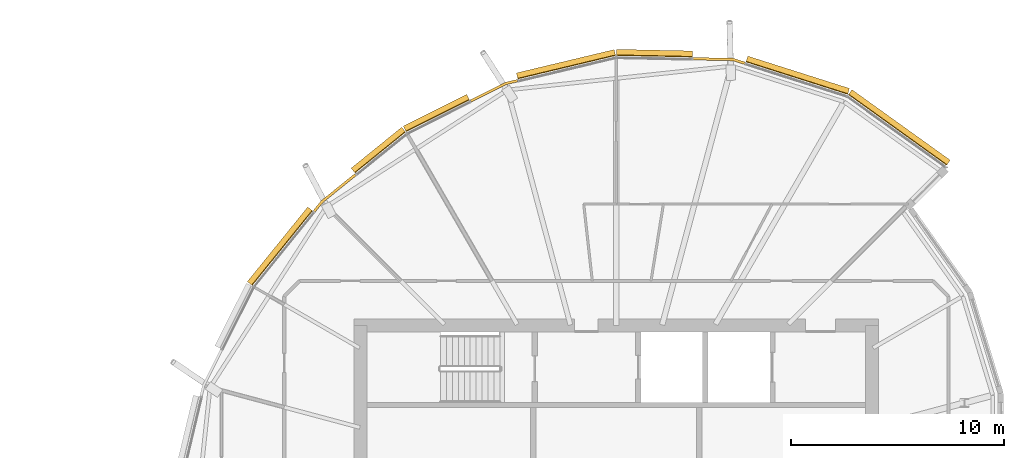
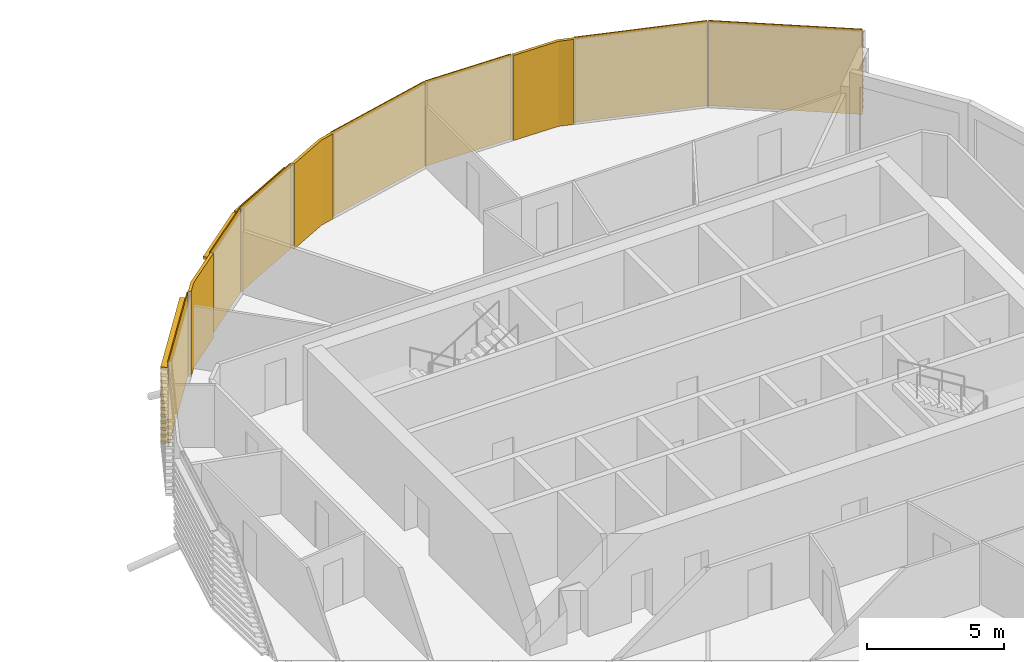
# One storey, part 38 of 38: 10 coverings.
"""IFC4 building model written with IfcOpenShell, lengths in metres."""

from ifc_helpers import new_model, si_unit, direction, frame, origin, place, context, subcontext, project, spatial, polyline, outline, extrude, material, layer, layer_set, material_profile, profile_set, type_object, element, save


model = new_model("IFC4")

# Units and contexts
model_context = context("Model", 3, precision=1e-05, world=origin(), true_north=direction((0.0, 1.0)))
body_context = subcontext(model_context, "Body", "Model", "MODEL_VIEW")
ifc_project = project(units=[si_unit("LENGTHUNIT", "METRE"), si_unit("AREAUNIT", "SQUARE_METRE"), si_unit("VOLUMEUNIT", "CUBIC_METRE"), si_unit("PLANEANGLEUNIT", "RADIAN"), si_unit("MASSUNIT", "GRAM", prefix="KILO")], contexts=[model_context])

# Site, building, storey
site_placement = place(None, origin())
site = spatial("IfcSite", under=ifc_project, at=site_placement, CompositionType="ELEMENT")
building_placement = place(site_placement, origin())
building = spatial("IfcBuilding", under=site, at=building_placement, Name="Rimbun Link Towers", CompositionType="ELEMENT")
storey_placement = place(building_placement, frame((0.0, 0.0, 185.5)))
storey = spatial("IfcBuildingStorey", under=building, at=storey_placement, Name="L45", CompositionType="ELEMENT", Elevation=185.5)

# Coverings
ifc_material_1 = material(Name="Terracotta", Category="masonry")
ifc_layer = layer(ifc_material_1, 0.1201171875)
ifc_layer_set = layer_set([ifc_layer], Name="LINK PIER terracotta cladding 120")
covering_type_1 = type_object("IfcCoveringType", Name="LINK PIER terracotta cladding 120", PredefinedType="CLADDING", material=ifc_layer_set)
covering_1_placement = place(storey_placement, origin())
element("IfcCovering", 1, at=covering_1_placement, inside=storey, type_object=covering_type_1, Name="LINK PIER cladding", PredefinedType="CLADDING", context=body_context, shape_type="SweptSolid", body=[
    extrude(outline(polyline([(35.3515625, 20.458251953125), (37.22119140625, 20.418701171875), (37.764404296875, 20.24609375), (37.80078125, 20.3603515625), (37.240966796875, 20.538330078125), (35.354248046875, 20.578125), (35.3515625, 20.458251953125)])), origin(), (0.0, 0.0, 1.0), 3.800048828125),
])
covering_2_placement = place(storey_placement, origin())
element("IfcCovering", 2, at=covering_2_placement, inside=storey, type_object=covering_type_1, Name="LINK PIER cladding", PredefinedType="CLADDING", context=body_context, shape_type="SweptSolid", body=[
    extrude(outline(polyline([(24.952880859375, 18.480712890625), (26.579345703125, 19.297607421875), (27.133544921875, 19.43017578125), (27.105712890625, 19.546875), (26.537841796875, 19.410888671875), (24.89892578125, 18.587890625), (24.952880859375, 18.480712890625)])), origin(), (0.0, 0.0, 1.0), 3.800048828125),
])
covering_3_placement = place(storey_placement, origin())
element("IfcCovering", 3, at=covering_3_placement, inside=storey, type_object=covering_type_1, Name="LINK PIER cladding", PredefinedType="CLADDING", context=body_context, shape_type="SweptSolid", body=[
    extrude(outline(polyline([(17.62744140625, 13.321044921875), (17.986083984375, 13.763916015625), (19.55615234375, 15.034912109375), (19.480712890625, 15.128173828125), (17.900634765625, 13.849365234375), (17.5341796875, 13.396484375), (17.62744140625, 13.321044921875)])), origin(), (0.0, 0.0, 1.0), 3.800048828125),
])
ifc_material_2 = material(Name="Terracotta", Category="masonry")
ifc_material_profile = material_profile(ifc_material_2, outline(polyline([(0.123046875, 0.0), (0.1630859375, 0.0), (0.1630859375, 0.10009765625), (0.423095703125, 0.10009765625), (0.423095703125, 0.219970703125), (0.1630859375, 0.219970703125), (0.1630859375, 0.39990234375), (0.423095703125, 0.39990234375), (0.423095703125, 0.52001953125), (0.1630859375, 0.52001953125), (0.1630859375, 0.699951171875), (0.423095703125, 0.699951171875), (0.423095703125, 0.820068359375), (0.1630859375, 0.820068359375), (0.1630859375, 1.0), (0.423095703125, 1.0), (0.423095703125, 1.1201171875), (0.1630859375, 1.1201171875), (0.1630859375, 1.300048828125), (0.423095703125, 1.300048828125), (0.423095703125, 1.419921875), (0.1630859375, 1.419921875), (0.1630859375, 1.60009765625), (0.423095703125, 1.60009765625), (0.423095703125, 1.719970703125), (0.1630859375, 1.719970703125), (0.1630859375, 1.89990234375), (0.423095703125, 1.89990234375), (0.423095703125, 2.02001953125), (0.1630859375, 2.02001953125), (0.1630859375, 2.199951171875), (0.423095703125, 2.199951171875), (0.423095703125, 2.320068359375), (0.1630859375, 2.320068359375), (0.1630859375, 2.5), (0.423095703125, 2.5), (0.423095703125, 2.6201171875), (0.1630859375, 2.6201171875), (0.1630859375, 2.800048828125), (0.423095703125, 2.800048828125), (0.423095703125, 2.919921875), (0.1630859375, 2.919921875), (0.1630859375, 3.10009765625), (0.423095703125, 3.10009765625), (0.423095703125, 3.219970703125), (0.1630859375, 3.219970703125), (0.1630859375, 3.39990234375), (0.423095703125, 3.39990234375), (0.423095703125, 3.52001953125), (0.1630859375, 3.52001953125), (0.1630859375, 3.800048828125), (0.123046875, 3.800048828125), (0.123046875, 0.0)])), Name="BAGUETTE 120X300")
ifc_profile_set = profile_set([ifc_material_profile], Name="Terracotta")
covering_type_2 = type_object("IfcCoveringType", Name="TERRACOTTA BAGUETTE 120X300 H3800", PredefinedType="CLADDING", material=ifc_profile_set)
covering_4_placement = place(storey_placement, frame((42.558837890625, 18.721435546875, 0.0), z_axis=(0.812445583502, -0.583037026138, 0.0), x_axis=(0.583037026138, 0.812445583502, 0.0)))
element("IfcCovering", 4, at=covering_4_placement, inside=storey, type_object=covering_type_2, Name="TERRACOTTA BAGUETTE", PredefinedType="CLADDING", context=body_context, shape_type="SweptSolid", body=[
    extrude(outline(polyline([(0.123046875, 0.0), (0.1630859375, 0.0), (0.1630859375, 0.10009765625), (0.423095703125, 0.10009765625), (0.423095703125, 0.219970703125), (0.1630859375, 0.219970703125), (0.1630859375, 0.39990234375), (0.423095703125, 0.39990234375), (0.423095703125, 0.52001953125), (0.1630859375, 0.52001953125), (0.1630859375, 0.699951171875), (0.423095703125, 0.699951171875), (0.423095703125, 0.820068359375), (0.1630859375, 0.820068359375), (0.1630859375, 1.0), (0.423095703125, 1.0), (0.423095703125, 1.1201171875), (0.1630859375, 1.1201171875), (0.1630859375, 1.300048828125), (0.423095703125, 1.300048828125), (0.423095703125, 1.419921875), (0.1630859375, 1.419921875), (0.1630859375, 1.60009765625), (0.423095703125, 1.60009765625), (0.423095703125, 1.719970703125), (0.1630859375, 1.719970703125), (0.1630859375, 1.89990234375), (0.423095703125, 1.89990234375), (0.423095703125, 2.02001953125), (0.1630859375, 2.02001953125), (0.1630859375, 2.199951171875), (0.423095703125, 2.199951171875), (0.423095703125, 2.320068359375), (0.1630859375, 2.320068359375), (0.1630859375, 2.5), (0.423095703125, 2.5), (0.423095703125, 2.6201171875), (0.1630859375, 2.6201171875), (0.1630859375, 2.800048828125), (0.423095703125, 2.800048828125), (0.423095703125, 2.919921875), (0.1630859375, 2.919921875), (0.1630859375, 3.10009765625), (0.423095703125, 3.10009765625), (0.423095703125, 3.219970703125), (0.1630859375, 3.219970703125), (0.1630859375, 3.39990234375), (0.423095703125, 3.39990234375), (0.423095703125, 3.52001953125), (0.1630859375, 3.52001953125), (0.1630859375, 3.800048828125), (0.123046875, 3.800048828125), (0.123046875, 0.0)])), origin(), (0.0, 0.0, 1.0), 5.670166015625),
])
covering_5_placement = place(storey_placement, frame((37.79296875, 20.237060546875, 0.0), z_axis=(0.952971289765, -0.303060589461, 0.0), x_axis=(0.303060589461, 0.952971289765, 0.0)))
element("IfcCovering", 5, at=covering_5_placement, inside=storey, type_object=covering_type_2, Name="TERRACOTTA BAGUETTE", PredefinedType="CLADDING", context=body_context, shape_type="SweptSolid", body=[
    extrude(outline(polyline([(0.123046875, 0.0), (0.1630859375, 0.0), (0.1630859375, 0.10009765625), (0.423095703125, 0.10009765625), (0.423095703125, 0.219970703125), (0.1630859375, 0.219970703125), (0.1630859375, 0.39990234375), (0.423095703125, 0.39990234375), (0.423095703125, 0.52001953125), (0.1630859375, 0.52001953125), (0.1630859375, 0.699951171875), (0.423095703125, 0.699951171875), (0.423095703125, 0.820068359375), (0.1630859375, 0.820068359375), (0.1630859375, 1.0), (0.423095703125, 1.0), (0.423095703125, 1.1201171875), (0.1630859375, 1.1201171875), (0.1630859375, 1.300048828125), (0.423095703125, 1.300048828125), (0.423095703125, 1.419921875), (0.1630859375, 1.419921875), (0.1630859375, 1.60009765625), (0.423095703125, 1.60009765625), (0.423095703125, 1.719970703125), (0.1630859375, 1.719970703125), (0.1630859375, 1.89990234375), (0.423095703125, 1.89990234375), (0.423095703125, 2.02001953125), (0.1630859375, 2.02001953125), (0.1630859375, 2.199951171875), (0.423095703125, 2.199951171875), (0.423095703125, 2.320068359375), (0.1630859375, 2.320068359375), (0.1630859375, 2.5), (0.423095703125, 2.5), (0.423095703125, 2.6201171875), (0.1630859375, 2.6201171875), (0.1630859375, 2.800048828125), (0.423095703125, 2.800048828125), (0.423095703125, 2.919921875), (0.1630859375, 2.919921875), (0.1630859375, 3.10009765625), (0.423095703125, 3.10009765625), (0.423095703125, 3.219970703125), (0.1630859375, 3.219970703125), (0.1630859375, 3.39990234375), (0.423095703125, 3.39990234375), (0.423095703125, 3.52001953125), (0.1630859375, 3.52001953125), (0.1630859375, 3.800048828125), (0.123046875, 3.800048828125), (0.123046875, 0.0)])), origin(), (0.0, 0.0, 1.0), 5.0009765625),
])
covering_6_placement = place(storey_placement, frame((31.75, 20.5341796875, 0.0), z_axis=(0.999776996135, -0.021117717671, 0.0), x_axis=(0.021117717671, 0.999776996135, 0.0)))
element("IfcCovering", 6, at=covering_6_placement, inside=storey, type_object=covering_type_2, Name="TERRACOTTA BAGUETTE", PredefinedType="CLADDING", context=body_context, shape_type="SweptSolid", body=[
    extrude(outline(polyline([(0.123046875, 0.0), (0.1630859375, 0.0), (0.1630859375, 0.10009765625), (0.423095703125, 0.10009765625), (0.423095703125, 0.219970703125), (0.1630859375, 0.219970703125), (0.1630859375, 0.39990234375), (0.423095703125, 0.39990234375), (0.423095703125, 0.52001953125), (0.1630859375, 0.52001953125), (0.1630859375, 0.699951171875), (0.423095703125, 0.699951171875), (0.423095703125, 0.820068359375), (0.1630859375, 0.820068359375), (0.1630859375, 1.0), (0.423095703125, 1.0), (0.423095703125, 1.1201171875), (0.1630859375, 1.1201171875), (0.1630859375, 1.300048828125), (0.423095703125, 1.300048828125), (0.423095703125, 1.419921875), (0.1630859375, 1.419921875), (0.1630859375, 1.60009765625), (0.423095703125, 1.60009765625), (0.423095703125, 1.719970703125), (0.1630859375, 1.719970703125), (0.1630859375, 1.89990234375), (0.423095703125, 1.89990234375), (0.423095703125, 2.02001953125), (0.1630859375, 2.02001953125), (0.1630859375, 2.199951171875), (0.423095703125, 2.199951171875), (0.423095703125, 2.320068359375), (0.1630859375, 2.320068359375), (0.1630859375, 2.5), (0.423095703125, 2.5), (0.423095703125, 2.6201171875), (0.1630859375, 2.6201171875), (0.1630859375, 2.800048828125), (0.423095703125, 2.800048828125), (0.423095703125, 2.919921875), (0.1630859375, 2.919921875), (0.1630859375, 3.10009765625), (0.423095703125, 3.10009765625), (0.423095703125, 3.219970703125), (0.1630859375, 3.219970703125), (0.1630859375, 3.39990234375), (0.423095703125, 3.39990234375), (0.423095703125, 3.52001953125), (0.1630859375, 3.52001953125), (0.1630859375, 3.800048828125), (0.123046875, 3.800048828125), (0.123046875, 0.0)])), origin(), (0.0, 0.0, 1.0), 3.572265625),
])
covering_7_placement = place(storey_placement, frame((27.162841796875, 19.43701171875, 0.0), z_axis=(0.972567436525, 0.232621111275, 0.0), x_axis=(-0.232621111275, 0.972567436525, 0.0)))
element("IfcCovering", 7, at=covering_7_placement, inside=storey, type_object=covering_type_2, Name="TERRACOTTA BAGUETTE", PredefinedType="CLADDING", context=body_context, shape_type="SweptSolid", body=[
    extrude(outline(polyline([(0.123046875, 0.0), (0.1630859375, 0.0), (0.1630859375, 0.10009765625), (0.423095703125, 0.10009765625), (0.423095703125, 0.219970703125), (0.1630859375, 0.219970703125), (0.1630859375, 0.39990234375), (0.423095703125, 0.39990234375), (0.423095703125, 0.52001953125), (0.1630859375, 0.52001953125), (0.1630859375, 0.699951171875), (0.423095703125, 0.699951171875), (0.423095703125, 0.820068359375), (0.1630859375, 0.820068359375), (0.1630859375, 1.0), (0.423095703125, 1.0), (0.423095703125, 1.1201171875), (0.1630859375, 1.1201171875), (0.1630859375, 1.300048828125), (0.423095703125, 1.300048828125), (0.423095703125, 1.419921875), (0.1630859375, 1.419921875), (0.1630859375, 1.60009765625), (0.423095703125, 1.60009765625), (0.423095703125, 1.719970703125), (0.1630859375, 1.719970703125), (0.1630859375, 1.89990234375), (0.423095703125, 1.89990234375), (0.423095703125, 2.02001953125), (0.1630859375, 2.02001953125), (0.1630859375, 2.199951171875), (0.423095703125, 2.199951171875), (0.423095703125, 2.320068359375), (0.1630859375, 2.320068359375), (0.1630859375, 2.5), (0.423095703125, 2.5), (0.423095703125, 2.6201171875), (0.1630859375, 2.6201171875), (0.1630859375, 2.800048828125), (0.423095703125, 2.800048828125), (0.423095703125, 2.919921875), (0.1630859375, 2.919921875), (0.1630859375, 3.10009765625), (0.423095703125, 3.10009765625), (0.423095703125, 3.219970703125), (0.1630859375, 3.219970703125), (0.1630859375, 3.39990234375), (0.423095703125, 3.39990234375), (0.423095703125, 3.52001953125), (0.1630859375, 3.52001953125), (0.1630859375, 3.800048828125), (0.123046875, 3.800048828125), (0.123046875, 0.0)])), origin(), (0.0, 0.0, 1.0), 4.716552734375),
])
covering_8_placement = place(storey_placement, frame((21.95068359375, 16.972900390625, 0.0), z_axis=(0.89361915461, 0.448826031457, 0.0), x_axis=(-0.448826031457, 0.89361915461, 0.0)))
element("IfcCovering", 8, at=covering_8_placement, inside=storey, type_object=covering_type_2, Name="TERRACOTTA BAGUETTE", PredefinedType="CLADDING", context=body_context, shape_type="SweptSolid", body=[
    extrude(outline(polyline([(0.123046875, 0.0), (0.1630859375, 0.0), (0.1630859375, 0.10009765625), (0.423095703125, 0.10009765625), (0.423095703125, 0.219970703125), (0.1630859375, 0.219970703125), (0.1630859375, 0.39990234375), (0.423095703125, 0.39990234375), (0.423095703125, 0.52001953125), (0.1630859375, 0.52001953125), (0.1630859375, 0.699951171875), (0.423095703125, 0.699951171875), (0.423095703125, 0.820068359375), (0.1630859375, 0.820068359375), (0.1630859375, 1.0), (0.423095703125, 1.0), (0.423095703125, 1.1201171875), (0.1630859375, 1.1201171875), (0.1630859375, 1.300048828125), (0.423095703125, 1.300048828125), (0.423095703125, 1.419921875), (0.1630859375, 1.419921875), (0.1630859375, 1.60009765625), (0.423095703125, 1.60009765625), (0.423095703125, 1.719970703125), (0.1630859375, 1.719970703125), (0.1630859375, 1.89990234375), (0.423095703125, 1.89990234375), (0.423095703125, 2.02001953125), (0.1630859375, 2.02001953125), (0.1630859375, 2.199951171875), (0.423095703125, 2.199951171875), (0.423095703125, 2.320068359375), (0.1630859375, 2.320068359375), (0.1630859375, 2.5), (0.423095703125, 2.5), (0.423095703125, 2.6201171875), (0.1630859375, 2.6201171875), (0.1630859375, 2.800048828125), (0.423095703125, 2.800048828125), (0.423095703125, 2.919921875), (0.1630859375, 2.919921875), (0.1630859375, 3.10009765625), (0.423095703125, 3.10009765625), (0.423095703125, 3.219970703125), (0.1630859375, 3.219970703125), (0.1630859375, 3.39990234375), (0.423095703125, 3.39990234375), (0.423095703125, 3.52001953125), (0.1630859375, 3.52001953125), (0.1630859375, 3.800048828125), (0.123046875, 3.800048828125), (0.123046875, 0.0)])), origin(), (0.0, 0.0, 1.0), 3.32958984375),
])
covering_9_placement = place(storey_placement, frame((19.579345703125, 15.0537109375, 0.0), z_axis=(0.777319412597, 0.629106136356, 0.0), x_axis=(-0.629106136356, 0.777319412597, 0.0)))
element("IfcCovering", 9, at=covering_9_placement, inside=storey, type_object=covering_type_2, Name="TERRACOTTA BAGUETTE", PredefinedType="CLADDING", context=body_context, shape_type="SweptSolid", body=[
    extrude(outline(polyline([(0.123046875, 0.0), (0.1630859375, 0.0), (0.1630859375, 0.10009765625), (0.423095703125, 0.10009765625), (0.423095703125, 0.219970703125), (0.1630859375, 0.219970703125), (0.1630859375, 0.39990234375), (0.423095703125, 0.39990234375), (0.423095703125, 0.52001953125), (0.1630859375, 0.52001953125), (0.1630859375, 0.699951171875), (0.423095703125, 0.699951171875), (0.423095703125, 0.820068359375), (0.1630859375, 0.820068359375), (0.1630859375, 1.0), (0.423095703125, 1.0), (0.423095703125, 1.1201171875), (0.1630859375, 1.1201171875), (0.1630859375, 1.300048828125), (0.423095703125, 1.300048828125), (0.423095703125, 1.419921875), (0.1630859375, 1.419921875), (0.1630859375, 1.60009765625), (0.423095703125, 1.60009765625), (0.423095703125, 1.719970703125), (0.1630859375, 1.719970703125), (0.1630859375, 1.89990234375), (0.423095703125, 1.89990234375), (0.423095703125, 2.02001953125), (0.1630859375, 2.02001953125), (0.1630859375, 2.199951171875), (0.423095703125, 2.199951171875), (0.423095703125, 2.320068359375), (0.1630859375, 2.320068359375), (0.1630859375, 2.5), (0.423095703125, 2.5), (0.423095703125, 2.6201171875), (0.1630859375, 2.6201171875), (0.1630859375, 2.800048828125), (0.423095703125, 2.800048828125), (0.423095703125, 2.919921875), (0.1630859375, 2.919921875), (0.1630859375, 3.10009765625), (0.423095703125, 3.10009765625), (0.423095703125, 3.219970703125), (0.1630859375, 3.219970703125), (0.1630859375, 3.39990234375), (0.423095703125, 3.39990234375), (0.423095703125, 3.52001953125), (0.1630859375, 3.52001953125), (0.1630859375, 3.800048828125), (0.123046875, 3.800048828125), (0.123046875, 0.0)])), origin(), (0.0, 0.0, 1.0), 3.05078125),
])
covering_10_placement = place(storey_placement, frame((14.777099609375, 9.79931640625, 0.0), z_axis=(0.62911083384, 0.777315610769, 0.0), x_axis=(-0.777315610769, 0.62911083384, 0.0)))
element("IfcCovering", 10, at=covering_10_placement, inside=storey, type_object=covering_type_2, Name="TERRACOTTA BAGUETTE", PredefinedType="CLADDING", context=body_context, shape_type="SweptSolid", body=[
    extrude(outline(polyline([(0.123046875, 0.0), (0.1630859375, 0.0), (0.1630859375, 0.10009765625), (0.423095703125, 0.10009765625), (0.423095703125, 0.219970703125), (0.1630859375, 0.219970703125), (0.1630859375, 0.39990234375), (0.423095703125, 0.39990234375), (0.423095703125, 0.52001953125), (0.1630859375, 0.52001953125), (0.1630859375, 0.699951171875), (0.423095703125, 0.699951171875), (0.423095703125, 0.820068359375), (0.1630859375, 0.820068359375), (0.1630859375, 1.0), (0.423095703125, 1.0), (0.423095703125, 1.1201171875), (0.1630859375, 1.1201171875), (0.1630859375, 1.300048828125), (0.423095703125, 1.300048828125), (0.423095703125, 1.419921875), (0.1630859375, 1.419921875), (0.1630859375, 1.60009765625), (0.423095703125, 1.60009765625), (0.423095703125, 1.719970703125), (0.1630859375, 1.719970703125), (0.1630859375, 1.89990234375), (0.423095703125, 1.89990234375), (0.423095703125, 2.02001953125), (0.1630859375, 2.02001953125), (0.1630859375, 2.199951171875), (0.423095703125, 2.199951171875), (0.423095703125, 2.320068359375), (0.1630859375, 2.320068359375), (0.1630859375, 2.5), (0.423095703125, 2.5), (0.423095703125, 2.6201171875), (0.1630859375, 2.6201171875), (0.1630859375, 2.800048828125), (0.423095703125, 2.800048828125), (0.423095703125, 2.919921875), (0.1630859375, 2.919921875), (0.1630859375, 3.10009765625), (0.423095703125, 3.10009765625), (0.423095703125, 3.219970703125), (0.1630859375, 3.219970703125), (0.1630859375, 3.39990234375), (0.423095703125, 3.39990234375), (0.423095703125, 3.52001953125), (0.1630859375, 3.52001953125), (0.1630859375, 3.800048828125), (0.123046875, 3.800048828125), (0.123046875, 0.0)])), origin(), (0.0, 0.0, 1.0), 4.50048828125),
])

save(model, "model.ifc")
